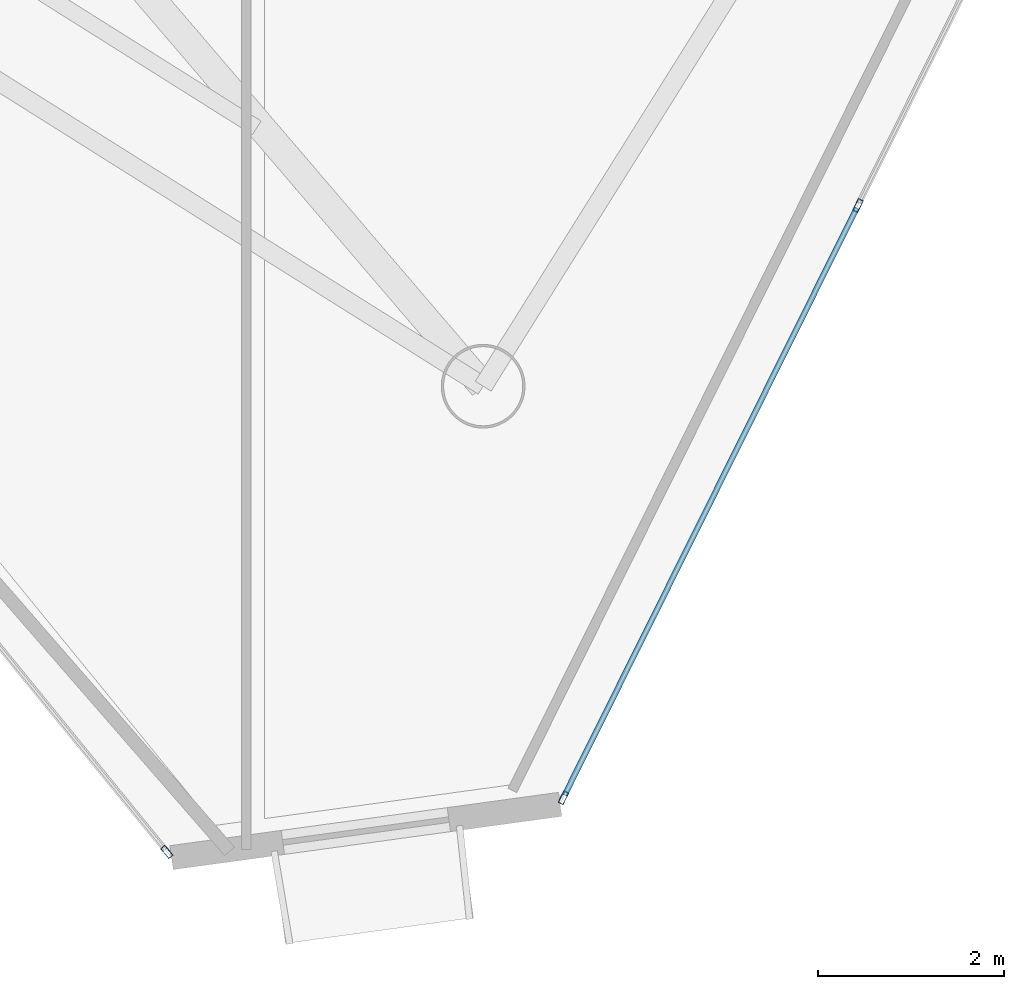
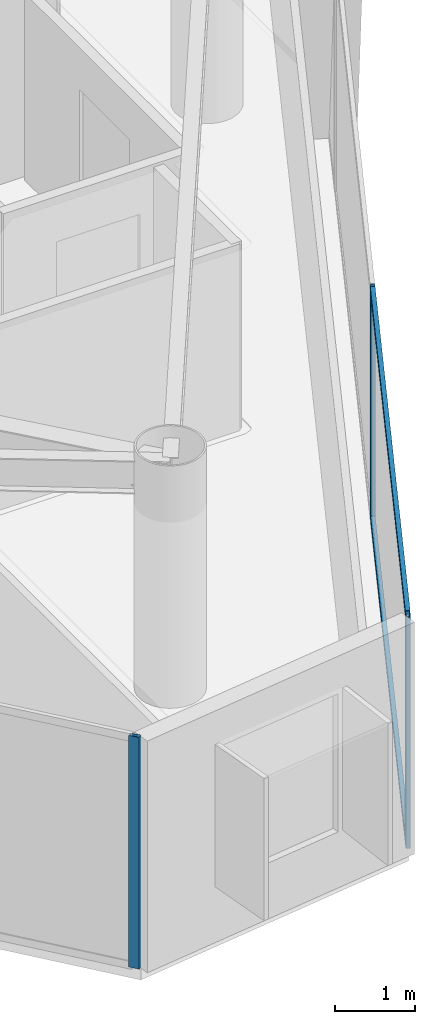
# One storey, part 4 of 23: 5 members, 2 elements without a shape of their own.
"""IFC4 building model written with IfcOpenShell, lengths in metres."""

from ifc_helpers import new_model, si_unit, direction, frame, origin, origin_2d, place, context, subcontext, project, spatial, hollow_rectangle, extrude, material, layer, layer_set, material_profile, profile_set, type_object, element, aggregate, save


model = new_model("IFC4")

# Units and contexts
model_context = context("Model", 3, precision=1e-05, world=origin(), true_north=direction((0.0, 1.0)))
body_context = subcontext(model_context, "Body", "Model", "MODEL_VIEW")
ifc_project = project(units=[si_unit("LENGTHUNIT", "METRE"), si_unit("AREAUNIT", "SQUARE_METRE"), si_unit("VOLUMEUNIT", "CUBIC_METRE"), si_unit("PLANEANGLEUNIT", "RADIAN"), si_unit("MASSUNIT", "GRAM", prefix="KILO")], contexts=[model_context])

# Site, building, storey
site_placement = place(None, origin())
site = spatial("IfcSite", under=ifc_project, at=site_placement, CompositionType="ELEMENT")
building_placement = place(site_placement, origin())
building = spatial("IfcBuilding", under=site, at=building_placement, Name="Qianvela Tower", CompositionType="ELEMENT")
storey_placement = place(building_placement, frame((0.0, 0.0, 313.89990234375)))
storey = spatial("IfcBuildingStorey", under=building, at=storey_placement, Name="L81", CompositionType="ELEMENT", Elevation=313.89990234375)

# Curtain wall, member
ifc_material_1 = material(Name="Anodised Architectural Aluminium and Low-E Glass", Category="aluminium")
ifc_layer = layer(ifc_material_1, 0.14990234375)
ifc_layer_set = layer_set([ifc_layer], Name="Anodised Architectural Aluminium and Low-E Glass")
curtain_wall_type = type_object("IfcCurtainWallType", Name="CW-COLIV-Z78", PredefinedType="USERDEFINED", material=ifc_layer_set)
curtain_wall_1_placement = place(storey_placement, origin())
curtain_wall_1 = element("IfcCurtainWall", 1, at=curtain_wall_1_placement, inside=storey, type_object=curtain_wall_type, Name="L81 CW-COLIV-Z78 Curtain Wall 04C", ObjectType="CURTAIN_WALL_SYSTEM", PredefinedType="USERDEFINED")
ifc_material_2 = material(Name="Anodised Architectural Aluminium 6063-T6", Category="aluminium")
ifc_material_profile_1 = material_profile(ifc_material_2, hollow_rectangle(XDim=0.06005859375, YDim=0.139892578125, WallThickness=0.00439453125, at=origin_2d()), Name="ALU-MULL-60x140")
ifc_profile_set_1 = profile_set([ifc_material_profile_1], Name="Anodised Architectural Aluminium 6063-T6")
member_type_1 = type_object("IfcMemberType", Name="CW-COLIV-Z78-MULL", PredefinedType="MULLION", material=ifc_profile_set_1)
member_1_placement = place(storey_placement, frame((35.697998046875, 6.58544921875, 0.0), z_axis=(0.0, 0.0, 1.0), x_axis=(0.774943588321, 0.632030406642, 0.0)))
member_1 = element("IfcMember", 2, at=member_1_placement, type_object=member_type_1, Name="CW-6 mullion 3", PredefinedType="MULLION", context=body_context, shape_type="SweptSolid", body=[
    extrude(hollow_rectangle(XDim=0.06005859375, YDim=0.139892578125, WallThickness=0.00439453125, at=origin_2d()), origin(), (0.0, 0.0, 1.0), 3.52001953125),
])
aggregate(curtain_wall_1, [member_1])

# Curtain wall, members
curtain_wall_2_placement = place(storey_placement, origin())
curtain_wall_2 = element("IfcCurtainWall", 3, at=curtain_wall_2_placement, inside=storey, type_object=curtain_wall_type, Name="L81 CW-COLIV-Z78 Curtain Wall 06A", ObjectType="CURTAIN_WALL_SYSTEM", PredefinedType="USERDEFINED")
member_2_placement = place(storey_placement, frame((39.958251953125, 7.16796875, 0.0), z_axis=(0.0, 0.0, 1.0), x_axis=(-0.895347504339, 0.445368214486, 0.0)))
member_2 = element("IfcMember", 4, at=member_2_placement, type_object=member_type_1, Name="CW-6 mullion 1", PredefinedType="MULLION", context=body_context, shape_type="SweptSolid", body=[
    extrude(hollow_rectangle(XDim=0.06005859375, YDim=0.139892578125, WallThickness=0.00439453125, at=origin_2d()), origin(), (0.0, 0.0, 1.0), 3.52001953125),
])
member_3_placement = place(storey_placement, frame((43.122802734375, 13.529296875, 0.0), z_axis=(0.0, 0.0, 1.0), x_axis=(-0.895347504339, 0.445368214486, 0.0)))
member_3 = element("IfcMember", 5, at=member_3_placement, type_object=member_type_1, Name="CW-6 mullion 2", PredefinedType="MULLION", context=body_context, shape_type="SweptSolid", body=[
    extrude(hollow_rectangle(XDim=0.06005859375, YDim=0.139892578125, WallThickness=0.00439453125, at=origin_2d()), origin(), (0.0, 0.0, 1.0), 3.52001953125),
])
ifc_material_3 = material(Name="Anodised Architectural Aluminium 6063-T6", Category="aluminium")
ifc_material_profile_2 = material_profile(ifc_material_3, hollow_rectangle(XDim=0.06005859375, YDim=0.114990234375, WallThickness=0.00390625, at=origin_2d()), Name="ALU-TRAN-60x115")
ifc_profile_set_2 = profile_set([ifc_material_profile_2], Name="Anodised Architectural Aluminium 6063-T6")
member_type_2 = type_object("IfcMemberType", Name="CW-COLIV-Z78-TRAN", PredefinedType="USERDEFINED", material=ifc_profile_set_2)
member_4_placement = place(storey_placement, frame((39.9716796875, 7.19482421875, 0.030029296875), z_axis=(0.445382888716, 0.89534020486, 0.0), x_axis=(-0.89534020486, 0.445382888716, 0.0)))
member_4 = element("IfcMember", 6, at=member_4_placement, type_object=member_type_2, Name="CW-6 transom 1.1", ObjectType="TRANSOM", PredefinedType="USERDEFINED", context=body_context, shape_type="SweptSolid", body=[
    extrude(hollow_rectangle(XDim=0.06005859375, YDim=0.114990234375, WallThickness=0.00390625, at=origin_2d()), origin(), (0.0, 0.0, 1.0), 7.044921875),
])
member_5_placement = place(storey_placement, frame((39.9716796875, 7.19482421875, 3.489990234375), z_axis=(0.445382888716, 0.89534020486, 0.0), x_axis=(-0.89534020486, 0.445382888716, 0.0)))
member_5 = element("IfcMember", 7, at=member_5_placement, type_object=member_type_2, Name="CW-6 transom 1.2", ObjectType="TRANSOM", PredefinedType="USERDEFINED", context=body_context, shape_type="SweptSolid", body=[
    extrude(hollow_rectangle(XDim=0.06005859375, YDim=0.114990234375, WallThickness=0.00390625, at=origin_2d()), origin(), (0.0, 0.0, 1.0), 7.044921875),
])
aggregate(curtain_wall_2, [member_2, member_3, member_4, member_5])

save(model, "model.ifc")
